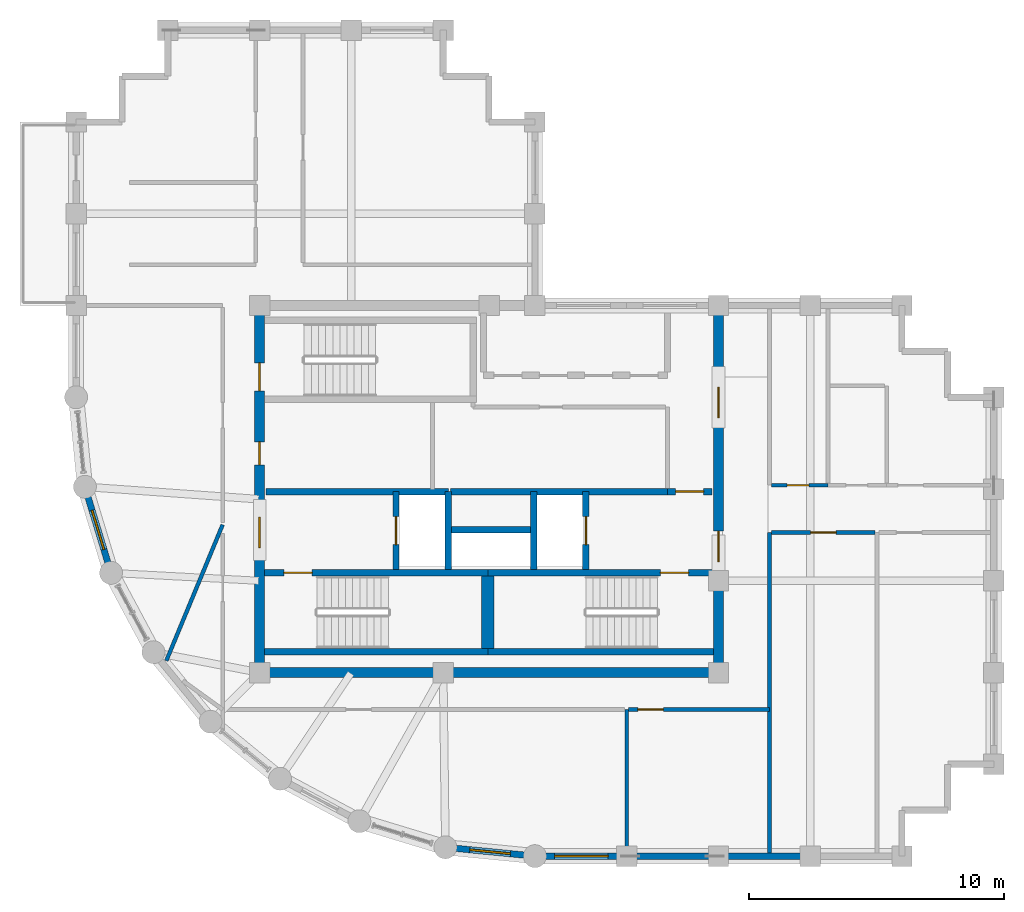
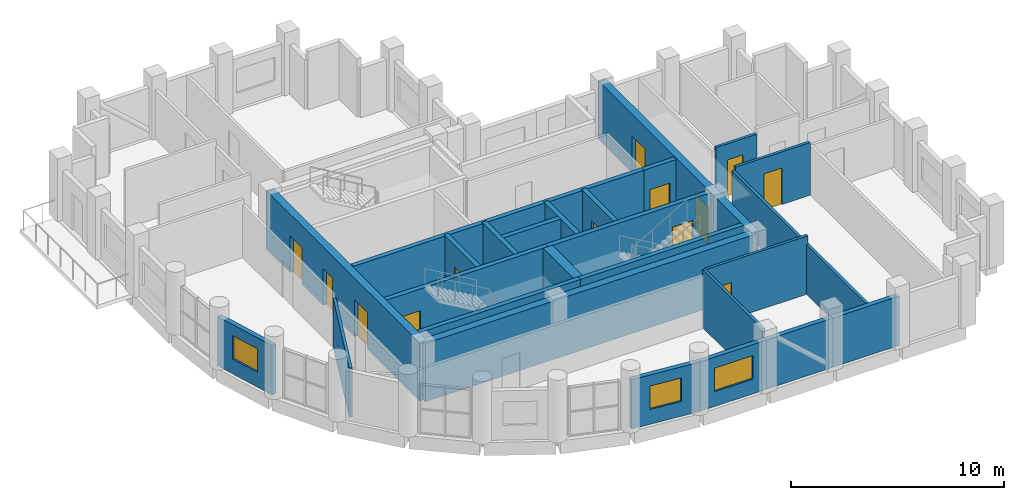
# One storey, part 8 of 11: 27 walls, 13 doors, 3 windows, 16 openings.
"""IFC4 building model written with IfcOpenShell, lengths in metres."""

import ifcopenshell
import ifcopenshell.guid

model = None  # the IFC model being written
_history = None  # IfcOwnerHistory: only IFC2X3 demands one
_inside = {}  # id of a spatial element -> (the spatial element, [elements in it])
_under = {}  # id of a project, library or spatial element -> (it, [spatial elements below it])
_declared = {}  # id of a project -> (the project, [libraries it declares])
_typed = {}  # id of a type object -> (the type object, [elements of that type])
_made_of = {}  # id of a material, layer set ... -> (it, [elements and type objects made of it])


def new_model(schema):
    """Start an empty IFC model of exactly this schema.

    Asked for "IFC4X3", IfcOpenShell would pick the latest addendum, in which some entities
    have other attributes; the version numbers below select the first issue.
    IFC2X3 requires an IfcOwnerHistory on every rooted entity: one is made here for all.
    """
    global model, _history
    if schema == "IFC4X3":
        model = ifcopenshell.file(schema_version=(4, 3, 0, 0))
    else:
        model = ifcopenshell.file(schema=schema)
    _inside.clear()
    _under.clear()
    _declared.clear()
    _typed.clear()
    _made_of.clear()
    _history = None
    if model.schema == "IFC2X3":
        org = make("IfcOrganization", Name="unknown")
        user = make(
            "IfcPersonAndOrganization",
            ThePerson=make("IfcPerson", FamilyName="unknown"),
            TheOrganization=org,
        )
        app = make(
            "IfcApplication",
            ApplicationDeveloper=org,
            Version="unknown",
            ApplicationFullName="unknown",
            ApplicationIdentifier="unknown",
        )
        _history = make(
            "IfcOwnerHistory",
            OwningUser=user,
            OwningApplication=app,
            ChangeAction="ADDED",
            CreationDate=0,
        )
    return model


def make(cls, **values):
    """One entity of the class cls with the attributes given. An attribute that is None is left unset."""
    return model.create_entity(
        cls, **{name: value for name, value in values.items() if value is not None}
    )


def rooted(cls, **values):
    """An entity with a GlobalId (a new one), such as an element, a storey or a relation."""
    return make(cls, GlobalId=ifcopenshell.guid.new(), OwnerHistory=_history, **values)


def si_unit(unit_type, name, prefix=None):
    """IfcSIUnit, for example si_unit("LENGTHUNIT", "METRE", prefix="MILLI")."""
    return make("IfcSIUnit", UnitType=unit_type, Prefix=prefix, Name=name)


def assignment(units):
    """IfcUnitAssignment: the units of a project."""
    return None if units is None else make("IfcUnitAssignment", Units=units)


def point(xyz):
    """IfcCartesianPoint."""
    return None if xyz is None else make("IfcCartesianPoint", Coordinates=xyz)


def direction(xyz):
    """IfcDirection."""
    return None if xyz is None else make("IfcDirection", DirectionRatios=xyz)


def frame(location, z_axis=None, x_axis=None):
    """IfcAxis2Placement3D, a coordinate frame: its origin and axes. An axis left out is left unset."""
    return make(
        "IfcAxis2Placement3D",
        Location=point(location),
        Axis=direction(z_axis),
        RefDirection=direction(x_axis),
    )


def frame_2d(location, x_axis=None):
    """IfcAxis2Placement2D, a coordinate frame in the plane: its origin and x axis."""
    return make(
        "IfcAxis2Placement2D", Location=point(location), RefDirection=direction(x_axis)
    )


def origin():
    """The frame at (0, 0, 0) with its axes left unset."""
    return frame((0.0, 0.0, 0.0))


def place(relative_to, where):
    """IfcLocalPlacement: puts the frame where relative to a parent placement (None: the world)."""
    return make(
        "IfcLocalPlacement", PlacementRelTo=relative_to, RelativePlacement=where
    )


def context(
    kind, dimensions, precision=None, world=None, true_north=None, identifier=None
):
    """IfcGeometricRepresentationContext, for example the 3D "Model" context."""
    return make(
        "IfcGeometricRepresentationContext",
        ContextIdentifier=identifier,
        ContextType=kind,
        CoordinateSpaceDimension=dimensions,
        Precision=precision,
        WorldCoordinateSystem=world,
        TrueNorth=true_north,
    )


def subcontext(parent, identifier, kind, view, scale=None):
    """IfcGeometricRepresentationSubContext, for example "Body" below "Model"."""
    return make(
        "IfcGeometricRepresentationSubContext",
        ContextIdentifier=identifier,
        ContextType=kind,
        ParentContext=parent,
        TargetScale=scale,
        TargetView=view,
    )


def project(units=None, contexts=None):
    """IfcProject with its units and contexts."""
    return rooted(
        "IfcProject",
        Name="project",
        RepresentationContexts=contexts,
        UnitsInContext=assignment(units),
    )


def spatial(cls, under=None, at=None, **own):
    """A site, building, storey or space (cls), placed at a placement, below another one or the project."""
    s = rooted(cls, ObjectPlacement=at, **own)
    if under is not None:
        _under.setdefault(under.id(), (under, []))[1].append(s)
    return s


def profile(cls, at=None, kind="AREA", **sizes):
    """A parametric profile (cls). Its sizes go by their IFC names, for example OverallWidth=200.0."""
    return make(cls, ProfileType=kind, Position=at, **sizes)


def rectangle(**sizes):
    """IfcRectangleProfileDef."""
    return profile("IfcRectangleProfileDef", **sizes)


def extrude(swept, where, along, depth):
    """IfcExtrudedAreaSolid: the profile swept, set in the frame where, extruded along a direction by depth."""
    return make(
        "IfcExtrudedAreaSolid",
        SweptArea=swept,
        Position=where,
        ExtrudedDirection=direction(along),
        Depth=depth,
    )


def shape(context_of_items, identifier, shape_type, items):
    """IfcShapeRepresentation: the items that make up one representation, for example the "Body"."""
    return make(
        "IfcShapeRepresentation",
        ContextOfItems=context_of_items,
        RepresentationIdentifier=identifier,
        RepresentationType=shape_type,
        Items=items,
    )


def material(Name=None, Category=None):
    """IfcMaterial."""
    return make("IfcMaterial", Name=Name, Category=Category)


def layer(
    of_material, thickness, ventilated=None, Name=None, Category=None, Priority=None
):
    """IfcMaterialLayer: one layer of a wall or slab, of a material (None: an air gap)."""
    return make(
        "IfcMaterialLayer",
        Material=of_material,
        LayerThickness=thickness,
        IsVentilated=ventilated,
        Name=Name,
        Category=Category,
        Priority=Priority,
    )


def layer_set(layers, Name=None):
    """IfcMaterialLayerSet."""
    return make("IfcMaterialLayerSet", MaterialLayers=layers, LayerSetName=Name)


def made_of(thing, what):
    """Note that an element or type object is made of a material, layer set ...; save() writes the relation."""
    if what is not None:
        _made_of.setdefault(what.id(), (what, []))[1].append(thing)
    return thing


def type_object(cls, material=None, **own):
    """A type object (cls), such as IfcWallType, which elements share."""
    return made_of(rooted(cls, **own), material)


def element(
    cls,
    number,
    at=None,
    inside=None,
    cuts=None,
    type_object=None,
    material=None,
    context=None,
    identifier="Body",
    shape_type=None,
    held_by="IfcProductDefinitionShape",
    body=None,
    shapes=None,
    **own,
):
    """One element of the class cls, such as IfcWall. Its Tag is "e" and its number.

    at: its placement. inside: the storey or other place that contains it. cuts: it is an
    opening in that element (IfcRelVoidsElement). A single representation is given by context,
    identifier, shape_type and body (its items); several are given by shapes. held_by: the class
    of the entity that holds the representations. save() writes the other relations.
    """
    e = rooted(cls, Tag="e%d" % number, ObjectPlacement=at, **own)
    if body is not None:
        shapes = [shape(context, identifier, shape_type, body)]
    if shapes is not None:
        e.Representation = make(held_by, Representations=shapes)
    if inside is not None:
        _inside.setdefault(inside.id(), (inside, []))[1].append(e)
    if cuts is not None:
        rooted(
            "IfcRelVoidsElement", RelatingBuildingElement=cuts, RelatedOpeningElement=e
        )
    if type_object is not None:
        _typed.setdefault(type_object.id(), (type_object, []))[1].append(e)
    return made_of(e, material)


def fill(opening, filler):
    """IfcRelFillsElement: the door or window that sits in an opening."""
    return rooted(
        "IfcRelFillsElement",
        RelatingOpeningElement=opening,
        RelatedBuildingElement=filler,
    )


def aggregate(whole, parts):
    """IfcRelAggregates: a whole, such as a stair, and the parts it consists of."""
    return rooted("IfcRelAggregates", RelatingObject=whole, RelatedObjects=parts)


def save(model, path):
    """Write the relations noted so far, then the file.

    IfcRelAggregates (storeys below a building ...), IfcRelContainedInSpatialStructure (elements
    in a storey), IfcRelDefinesByType, IfcRelAssociatesMaterial and IfcRelDeclares: one each for
    every whole, place, type object, material and project.
    """
    for whole, parts in _under.values():
        aggregate(whole, parts)
    for where, things in _inside.values():
        rooted(
            "IfcRelContainedInSpatialStructure",
            RelatedElements=things,
            RelatingStructure=where,
        )
    for kind, things in _typed.values():
        rooted("IfcRelDefinesByType", RelatedObjects=things, RelatingType=kind)
    for what, things in _made_of.values():
        rooted("IfcRelAssociatesMaterial", RelatedObjects=things, RelatingMaterial=what)
    for by, libraries in _declared.values():
        rooted("IfcRelDeclares", RelatingContext=by, RelatedDefinitions=libraries)
    model.write(path)


model = new_model("IFC4")

# Units and contexts
model_context = context("Model", 3, precision=1e-05, world=origin(), true_north=direction((0.0, 1.0)))
body_context = subcontext(model_context, "Body", "Model", "MODEL_VIEW")
ifc_project = project(units=[si_unit("LENGTHUNIT", "METRE"), si_unit("AREAUNIT", "SQUARE_METRE"), si_unit("VOLUMEUNIT", "CUBIC_METRE"), si_unit("PLANEANGLEUNIT", "RADIAN"), si_unit("MASSUNIT", "GRAM", prefix="KILO")], contexts=[model_context])

# Site, building, storey
site_placement = place(None, origin())
site = spatial("IfcSite", under=ifc_project, at=site_placement, CompositionType="ELEMENT")
building_placement = place(site_placement, origin())
building = spatial("IfcBuilding", under=site, at=building_placement, Name="Solnavia Interchange Tower", CompositionType="ELEMENT")
storey_placement = place(building_placement, frame((0.0, 0.0, 263.0)))
storey = spatial("IfcBuildingStorey", under=building, at=storey_placement, Name="L66", CompositionType="ELEMENT", Elevation=263.0)

# Wall, opening, window
ifc_material_1 = material(Name="Concrete C40/50", Category="concrete")
ifc_layer_1 = layer(ifc_material_1, 0.25)
ifc_layer_set_1 = layer_set([ifc_layer_1], Name="Concrete C40/50")
wall_type_1 = type_object("IfcWallType", Name="Wall-ExtSpandrel-250", PredefinedType="STANDARD", material=ifc_layer_set_1)
wall_1_placement = place(storey_placement, frame((28.800048828125, 3.60009765625, 0.0), z_axis=(0.0, 0.0, 1.0), x_axis=(-1.0, 0.0, 0.0)))
wall_1 = element("IfcWall", 1, at=wall_1_placement, inside=storey, type_object=wall_type_1, Name="EXW-L66-01 Exterior precast spandrel wall", PredefinedType="STANDARD", context=body_context, shape_type="SweptSolid", body=[
    extrude(rectangle(XDim=3.60009765625, YDim=0.25, at=frame_2d((1.800048828125, 0.0))), origin(), (0.0, 0.0, 1.0), 2.830078125),
])
opening_1_placement = place(wall_1_placement, frame((0.72509765625, 0.0, 0.85009765625)))
opening_1 = element("IfcOpeningElement", 2, at=opening_1_placement, cuts=wall_1, Name="Opening WIN-01", PredefinedType="OPENING", context=body_context, shape_type="SweptSolid", body=[
    extrude(rectangle(XDim=2.10009765625, YDim=1.35009765625, at=frame_2d((1.050048828125, 0.675048828125))), frame((0.0, 0.135009765625, 0.0), z_axis=(0.0, -1.0, 0.0), x_axis=(1.0, 0.0, 0.0)), (0.0, 0.0, 1.0), 0.27001953125),
])
ifc_material_2 = material(Name="Thermal-Break Aluminium & Low-E Glass", Category="aluminium")
window_type_1 = type_object("IfcWindowType", Name="Window-Ribbon-2100x1350", PartitioningType="SINGLE_PANEL", PredefinedType="WINDOW", material=ifc_material_2)
window_1_placement = place(opening_1_placement, origin())
window_1 = element("IfcWindow", 3, at=window_1_placement, inside=storey, type_object=window_type_1, Name="WIN-L66-01 Facade ribbon window", OverallHeight=1.35009765625, OverallWidth=2.10009765625, PartitioningType="SINGLE_PANEL", PredefinedType="WINDOW", context=body_context, shape_type="SweptSolid", body=[
    extrude(rectangle(XDim=2.10009765625, YDim=1.35009765625, at=frame_2d((1.050048828125, 0.675048828125))), frame((0.0, 0.030029296875, 0.0), z_axis=(0.0, -1.0, 0.0), x_axis=(1.0, 0.0, 0.0)), (0.0, 0.0, 1.0), 0.06005859375),
])
fill(opening_1, window_1)

# Walls
wall_2_placement = place(storey_placement, frame((32.39990234375, 3.60009765625, 0.0), z_axis=(0.0, 0.0, 1.0), x_axis=(-1.0, 0.0, 0.0)))
element("IfcWall", 4, at=wall_2_placement, inside=storey, type_object=wall_type_1, Name="EXW-L66-02 Exterior precast spandrel wall", PredefinedType="STANDARD", context=body_context, shape_type="SweptSolid", body=[
    extrude(rectangle(XDim=3.599853515625, YDim=0.25, at=frame_2d((1.7998046875, 0.0))), origin(), (0.0, 0.0, 1.0), 2.830078125),
])
wall_3_placement = place(storey_placement, frame((36.0, 3.60009765625, 0.0), z_axis=(0.0, 0.0, 1.0), x_axis=(-1.0, 0.0, 0.0)))
element("IfcWall", 5, at=wall_3_placement, inside=storey, type_object=wall_type_1, Name="EXW-L66-03 Exterior precast spandrel wall", PredefinedType="STANDARD", context=body_context, shape_type="SweptSolid", body=[
    extrude(rectangle(XDim=3.60009765625, YDim=0.25, at=frame_2d((1.800048828125, 0.0))), origin(), (0.0, 0.0, 1.0), 2.830078125),
])

# Wall, opening, window
wall_4_placement = place(storey_placement, frame((8.570068359375, 14.7119140625, 0.0), z_axis=(0.0, 0.0, 1.0), x_axis=(-0.290305086481, 0.956934144423, 0.0)))
wall_4 = element("IfcWall", 6, at=wall_4_placement, inside=storey, type_object=wall_type_1, Name="EXW-L66-38 Exterior precast spandrel wall", PredefinedType="STANDARD", context=body_context, shape_type="SweptSolid", body=[
    extrude(rectangle(XDim=3.52783203125, YDim=0.25, at=frame_2d((1.763916015625, 0.0))), origin(), (0.0, 0.0, 1.0), 2.830078125),
])
opening_2_placement = place(wall_4_placement, frame((0.964111328125, 0.0, 0.85009765625)))
opening_2 = element("IfcOpeningElement", 7, at=opening_2_placement, cuts=wall_4, Name="Opening WIN-04", PredefinedType="OPENING", context=body_context, shape_type="SweptSolid", body=[
    extrude(rectangle(XDim=1.60009765625, YDim=1.35009765625, at=frame_2d((0.800048828125, 0.675048828125))), frame((0.0, 0.135009765625, 0.0), z_axis=(0.0, -1.0, 0.0), x_axis=(1.0, 0.0, 0.0)), (0.0, 0.0, 1.0), 0.27001953125),
])
window_type_2 = type_object("IfcWindowType", Name="Window-Drum-1600x1350", PartitioningType="SINGLE_PANEL", PredefinedType="WINDOW", material=ifc_material_2)
window_2_placement = place(opening_2_placement, origin())
window_2 = element("IfcWindow", 8, at=window_2_placement, inside=storey, type_object=window_type_2, Name="WIN-L66-38 Facade ribbon window", OverallHeight=1.35009765625, OverallWidth=1.60009765625, PartitioningType="SINGLE_PANEL", PredefinedType="WINDOW", context=body_context, shape_type="SweptSolid", body=[
    extrude(rectangle(XDim=1.60009765625, YDim=1.35009765625, at=frame_2d((0.800048828125, 0.675048828125))), frame((0.0, 0.030029296875, 0.0), z_axis=(0.0, -1.0, 0.0), x_axis=(1.0, 0.0, 0.0)), (0.0, 0.0, 1.0), 0.06005859375),
])
fill(opening_2, window_2)

wall_5_placement = place(storey_placement, frame((25.199951171875, 3.60009765625, 0.0), z_axis=(0.0, 0.0, 1.0), x_axis=(-0.995183369056, 0.098030923459, 0.0)))
wall_5 = element("IfcWall", 9, at=wall_5_placement, inside=storey, type_object=wall_type_1, Name="EXW-L66-44 Exterior precast spandrel wall", PredefinedType="STANDARD", context=body_context, shape_type="SweptSolid", body=[
    extrude(rectangle(XDim=3.529052734375, YDim=0.25, at=frame_2d((1.7646484375, 0.0))), origin(), (0.0, 0.0, 1.0), 2.830078125),
])
opening_3_placement = place(wall_5_placement, frame((0.965087890625, 0.0, 0.85009765625)))
opening_3 = element("IfcOpeningElement", 10, at=opening_3_placement, cuts=wall_5, Name="Opening WIN-04", PredefinedType="OPENING", context=body_context, shape_type="SweptSolid", body=[
    extrude(rectangle(XDim=1.60009765625, YDim=1.35009765625, at=frame_2d((0.800048828125, 0.675048828125))), frame((0.0, 0.135009765625, 0.0), z_axis=(0.0, -1.0, 0.0), x_axis=(1.0, 0.0, 0.0)), (0.0, 0.0, 1.0), 0.27001953125),
])
window_3_placement = place(opening_3_placement, origin())
window_3 = element("IfcWindow", 11, at=window_3_placement, inside=storey, type_object=window_type_2, Name="WIN-L66-44 Facade ribbon window", OverallHeight=1.35009765625, OverallWidth=1.60009765625, PartitioningType="SINGLE_PANEL", PredefinedType="WINDOW", context=body_context, shape_type="SweptSolid", body=[
    extrude(rectangle(XDim=1.60009765625, YDim=1.35009765625, at=frame_2d((0.800048828125, 0.675048828125))), frame((0.0, 0.030029296875, 0.0), z_axis=(0.0, -1.0, 0.0), x_axis=(1.0, 0.0, 0.0)), (0.0, 0.0, 1.0), 0.06005859375),
])
fill(opening_3, window_3)

# Walls
ifc_material_3 = material(Name="Gypsum Plasterboard & Steel Stud", Category="steel")
ifc_layer_2 = layer(ifc_material_3, 0.14990234375)
ifc_layer_set_2 = layer_set([ifc_layer_2], Name="Gypsum Plasterboard & Steel Stud")
wall_type_2 = type_object("IfcWallType", Name="Wall-Partition-150", PredefinedType="PARTITIONING", material=ifc_layer_set_2)
wall_6_placement = place(storey_placement, frame((28.800048828125, 9.35009765625, 0.0), z_axis=(0.0, 0.0, 1.0), x_axis=(0.0, -1.0, 0.0)))
element("IfcWall", 12, at=wall_6_placement, inside=storey, type_object=wall_type_2, Name="PTW-L66-08 Interior partition wall", PredefinedType="PARTITIONING", context=body_context, shape_type="SweptSolid", body=[
    extrude(rectangle(XDim=5.62109375, YDim=0.14990234375, at=frame_2d((2.810546875, 0.0))), origin(), (0.0, 0.0, 1.0), 3.3349609375),
])
wall_7_placement = place(storey_placement, frame((12.949951171875, 16.60009765625, 0.0), z_axis=(0.0, 0.0, 1.0), x_axis=(-0.382758890427, -0.923848273148, 0.0)))
element("IfcWall", 13, at=wall_7_placement, inside=storey, type_object=wall_type_2, Name="PTW-L66-10 Interior partition wall", PredefinedType="PARTITIONING", context=body_context, shape_type="SweptSolid", body=[
    extrude(rectangle(XDim=5.773193359375, YDim=0.14990234375, at=frame_2d((2.88671875, 0.0))), origin(), (0.0, 0.0, 1.0), 2.830078125),
])

# Wall, opening, door
wall_8_placement = place(storey_placement, frame((28.87890625, 9.35009765625, 0.0), z_axis=(0.0, 0.0, 1.0), x_axis=(1.0, 0.0, 0.0)))
wall_8 = element("IfcWall", 14, at=wall_8_placement, inside=storey, type_object=wall_type_2, Name="PTW-L66-14 Interior partition wall", PredefinedType="PARTITIONING", context=body_context, shape_type="SweptSolid", body=[
    extrude(rectangle(XDim=5.52099609375, YDim=0.14990234375, at=frame_2d((2.760498046875, 0.0))), origin(), (0.0, 0.0, 1.0), 3.3349609375),
])
opening_4_placement = place(wall_8_placement, frame((0.360107421875, 0.0, 0.0)))
opening_4 = element("IfcOpeningElement", 15, at=opening_4_placement, cuts=wall_8, Name="Opening DR-07", PredefinedType="OPENING", context=body_context, shape_type="SweptSolid", body=[
    extrude(rectangle(XDim=1.0, YDim=2.10009765625, at=frame_2d((0.5, 1.050048828125))), frame((0.0, 0.0849609375, 0.0), z_axis=(0.0, -1.0, 0.0), x_axis=(1.0, 0.0, 0.0)), (0.0, 0.0, 1.0), 0.169921875),
])
ifc_material_4 = material(Name="Timber & Acoustic Glazed Office Door", Category="wood")
door_type_1 = type_object("IfcDoorType", Name="Door-Office-1000x2100", OperationType="SINGLE_SWING_RIGHT", PredefinedType="DOOR", material=ifc_material_4)
door_1_placement = place(opening_4_placement, origin())
door_1 = element("IfcDoor", 16, at=door_1_placement, inside=storey, type_object=door_type_1, Name="DR-L66-06 Interior room door", OperationType="SINGLE_SWING_LEFT", OverallHeight=2.10009765625, OverallWidth=1.0, PredefinedType="DOOR", context=body_context, shape_type="SweptSolid", body=[
    extrude(rectangle(XDim=1.0, YDim=2.10009765625, at=frame_2d((0.5, 1.050048828125))), frame((0.0, 0.02490234375, 0.0), z_axis=(0.0, -1.0, 0.0), x_axis=(1.0, 0.0, 0.0)), (0.0, 0.0, 1.0), 0.050048828125),
])
fill(opening_4, door_1)

# Wall
wall_9_placement = place(storey_placement, frame((34.39990234375, 3.72900390625, 0.0), z_axis=(0.0, 0.0, 1.0), x_axis=(0.0, 1.0, 0.0)))
element("IfcWall", 17, at=wall_9_placement, inside=storey, type_object=wall_type_2, Name="PTW-L66-15 Interior partition wall", PredefinedType="PARTITIONING", context=body_context, shape_type="SweptSolid", body=[
    extrude(rectangle(XDim=12.571044921875, YDim=0.14990234375, at=frame_2d((6.28564453125, 0.0))), origin(), (0.0, 0.0, 1.0), 2.830078125),
])

# Wall, opening, door
wall_10_placement = place(storey_placement, frame((34.47900390625, 16.300048828125, 0.0), z_axis=(0.0, 0.0, 1.0), x_axis=(1.0, 0.0, 0.0)))
wall_10 = element("IfcWall", 18, at=wall_10_placement, inside=storey, type_object=wall_type_2, Name="PTW-L66-17 Interior partition wall", PredefinedType="PARTITIONING", context=body_context, shape_type="SweptSolid", body=[
    extrude(rectangle(XDim=4.06201171875, YDim=0.14990234375, at=frame_2d((2.031005859375, 0.0))), origin(), (0.0, 0.0, 1.0), 3.02001953125),
])
opening_5_placement = place(wall_10_placement, frame((1.531005859375, 0.0, 0.0)))
opening_5 = element("IfcOpeningElement", 19, at=opening_5_placement, cuts=wall_10, Name="Opening DR-07", PredefinedType="OPENING", context=body_context, shape_type="SweptSolid", body=[
    extrude(rectangle(XDim=1.0, YDim=2.10009765625, at=frame_2d((0.5, 1.050048828125))), frame((0.0, 0.0849609375, 0.0), z_axis=(0.0, -1.0, 0.0), x_axis=(1.0, 0.0, 0.0)), (0.0, 0.0, 1.0), 0.169921875),
])
door_2_placement = place(opening_5_placement, origin())
door_2 = element("IfcDoor", 20, at=door_2_placement, inside=storey, type_object=door_type_1, Name="DR-L66-07 Interior room door", OperationType="SINGLE_SWING_LEFT", OverallHeight=2.10009765625, OverallWidth=1.0, PredefinedType="DOOR", context=body_context, shape_type="SweptSolid", body=[
    extrude(rectangle(XDim=1.0, YDim=2.10009765625, at=frame_2d((0.5, 1.050048828125))), frame((0.0, 0.02490234375, 0.0), z_axis=(0.0, -1.0, 0.0), x_axis=(1.0, 0.0, 0.0)), (0.0, 0.0, 1.0), 0.050048828125),
])
fill(opening_5, door_2)

# Wall
ifc_layer_3 = layer(ifc_material_1, 0.25)
ifc_layer_set_3 = layer_set([ifc_layer_3], Name="Concrete C40/50")
wall_type_3 = type_object("IfcWallType", Name="Wall-ShaftCore-250", PredefinedType="SHEAR", material=ifc_layer_set_3)
wall_11_placement = place(storey_placement, frame((14.60009765625, 11.625, 0.0), z_axis=(0.0, 0.0, 1.0), x_axis=(1.0, 0.0, 0.0)))
element("IfcWall", 21, at=wall_11_placement, inside=storey, type_object=wall_type_3, Name="SHW-L66-ST1S Core shear wall", PredefinedType="SHEAR", context=body_context, shape_type="SweptSolid", body=[
    extrude(rectangle(XDim=8.75, YDim=0.25, at=frame_2d((4.375, 0.0))), origin(), (0.0, 0.0, 1.0), 3.35009765625),
])

# Wall, opening, door
wall_12_placement = place(storey_placement, frame((14.60009765625, 14.715087890625, 0.0), z_axis=(0.0, 0.0, 1.0), x_axis=(1.0, 0.0, 0.0)))
wall_12 = element("IfcWall", 22, at=wall_12_placement, inside=storey, type_object=wall_type_3, Name="SHW-L66-ST1N Core shear wall", PredefinedType="SHEAR", context=body_context, shape_type="SweptSolid", body=[
    extrude(rectangle(XDim=8.75, YDim=0.25, at=frame_2d((4.375, 0.0))), origin(), (0.0, 0.0, 1.0), 3.35009765625),
])
opening_6_placement = place(wall_12_placement, frame((0.7548828125, 0.0, 0.0)))
opening_6 = element("IfcOpeningElement", 23, at=opening_6_placement, cuts=wall_12, Name="Opening DR-01", PredefinedType="OPENING", context=body_context, shape_type="SweptSolid", body=[
    extrude(rectangle(XDim=1.10009765625, YDim=2.10009765625, at=frame_2d((0.550048828125, 1.050048828125))), frame((0.0, 0.135009765625, 0.0), z_axis=(0.0, -1.0, 0.0), x_axis=(1.0, 0.0, 0.0)), (0.0, 0.0, 1.0), 0.27001953125),
])
ifc_material_5 = material(Name="Steel Fire-Rated Leaf & Frame", Category="steel")
door_type_2 = type_object("IfcDoorType", Name="Door-StairFire-1100x2100", OperationType="SINGLE_SWING_LEFT", PredefinedType="DOOR", material=ifc_material_5)
door_3_placement = place(opening_6_placement, origin())
door_3 = element("IfcDoor", 24, at=door_3_placement, inside=storey, type_object=door_type_2, Name="DR-L66-ST1 Core fire door", OperationType="SINGLE_SWING_LEFT", OverallHeight=2.10009765625, OverallWidth=1.10009765625, PredefinedType="DOOR", context=body_context, shape_type="SweptSolid", body=[
    extrude(rectangle(XDim=1.10009765625, YDim=2.10009765625, at=frame_2d((0.550048828125, 1.050048828125))), frame((0.0, 0.02490234375, 0.0), z_axis=(0.0, -1.0, 0.0), x_axis=(1.0, 0.0, 0.0)), (0.0, 0.0, 1.0), 0.050048828125),
])
fill(opening_6, door_3)

# Wall
wall_13_placement = place(storey_placement, frame((23.35009765625, 11.625, 0.0), z_axis=(0.0, 0.0, 1.0), x_axis=(1.0, 0.0, 0.0)))
element("IfcWall", 25, at=wall_13_placement, inside=storey, type_object=wall_type_3, Name="SHW-L66-ST2S Core shear wall", PredefinedType="SHEAR", context=body_context, shape_type="SweptSolid", body=[
    extrude(rectangle(XDim=8.849853515625, YDim=0.25, at=frame_2d((4.4248046875, 0.0))), origin(), (0.0, 0.0, 1.0), 3.35009765625),
])

# Wall, opening, door
wall_14_placement = place(storey_placement, frame((23.35009765625, 14.715087890625, 0.0), z_axis=(0.0, 0.0, 1.0), x_axis=(1.0, 0.0, 0.0)))
wall_14 = element("IfcWall", 26, at=wall_14_placement, inside=storey, type_object=wall_type_3, Name="SHW-L66-ST2N Core shear wall", PredefinedType="SHEAR", context=body_context, shape_type="SweptSolid", body=[
    extrude(rectangle(XDim=8.849853515625, YDim=0.25, at=frame_2d((4.4248046875, 0.0))), origin(), (0.0, 0.0, 1.0), 3.35009765625),
])
opening_7_placement = place(wall_14_placement, frame((6.77490234375, 0.0, 0.0)))
opening_7 = element("IfcOpeningElement", 27, at=opening_7_placement, cuts=wall_14, Name="Opening DR-01", PredefinedType="OPENING", context=body_context, shape_type="SweptSolid", body=[
    extrude(rectangle(XDim=1.10009765625, YDim=2.10009765625, at=frame_2d((0.550048828125, 1.050048828125))), frame((0.0, 0.135009765625, 0.0), z_axis=(0.0, -1.0, 0.0), x_axis=(1.0, 0.0, 0.0)), (0.0, 0.0, 1.0), 0.27001953125),
])
door_4_placement = place(opening_7_placement, origin())
door_4 = element("IfcDoor", 28, at=door_4_placement, inside=storey, type_object=door_type_2, Name="DR-L66-ST2 Core fire door", OperationType="SINGLE_SWING_LEFT", OverallHeight=2.10009765625, OverallWidth=1.10009765625, PredefinedType="DOOR", context=body_context, shape_type="SweptSolid", body=[
    extrude(rectangle(XDim=1.10009765625, YDim=2.10009765625, at=frame_2d((0.550048828125, 1.050048828125))), frame((0.0, 0.02490234375, 0.0), z_axis=(0.0, -1.0, 0.0), x_axis=(1.0, 0.0, 0.0)), (0.0, 0.0, 1.0), 0.050048828125),
])
fill(opening_7, door_4)

# Wall
ifc_layer_4 = layer(ifc_material_1, 0.25)
ifc_layer_set_4 = layer_set([ifc_layer_4], Name="Concrete C40/50")
wall_type_4 = type_object("IfcWallType", Name="Wall-ShaftPart-250", PredefinedType="PARTITIONING", material=ifc_layer_set_4)
wall_15_placement = place(storey_placement, frame((14.64990234375, 17.89990234375, 0.0), z_axis=(0.0, 0.0, 1.0), x_axis=(1.0, 0.0, 0.0)))
element("IfcWall", 29, at=wall_15_placement, inside=storey, type_object=wall_type_4, Name="SHW-L66-FFLW-N Core shaft wall", PredefinedType="PARTITIONING", context=body_context, shape_type="SweptSolid", body=[
    extrude(rectangle(XDim=7.150146484375, YDim=0.25, at=frame_2d((3.5751953125, 0.0))), origin(), (0.0, 0.0, 1.0), 3.3349609375),
])

# Wall, opening, door
wall_16_placement = place(storey_placement, frame((19.75, 14.840087890625, 0.0), z_axis=(0.0, 0.0, 1.0), x_axis=(0.0, 1.0, 0.0)))
wall_16 = element("IfcWall", 30, at=wall_16_placement, inside=storey, type_object=wall_type_4, Name="SHW-L66-FFL1-W Core shaft wall", PredefinedType="PARTITIONING", context=body_context, shape_type="SweptSolid", body=[
    extrude(rectangle(XDim=3.059814453125, YDim=0.25, at=frame_2d((1.52978515625, 0.0))), origin(), (0.0, 0.0, 1.0), 3.3349609375),
])
opening_8_placement = place(wall_16_placement, frame((0.97998046875, 0.0, 0.0)))
opening_8 = element("IfcOpeningElement", 31, at=opening_8_placement, cuts=wall_16, Name="Opening LD-01", PredefinedType="OPENING", context=body_context, shape_type="SweptSolid", body=[
    extrude(rectangle(XDim=1.10009765625, YDim=2.10009765625, at=frame_2d((0.550048828125, 1.050048828125))), frame((0.0, 0.135009765625, 0.0), z_axis=(0.0, -1.0, 0.0), x_axis=(1.0, 0.0, 0.0)), (0.0, 0.0, 1.0), 0.27001953125),
])
ifc_material_6 = material(Name="Brushed Stainless Steel Sliding Door", Category="steel")
door_type_3 = type_object("IfcDoorType", Name="Door-LiftLanding-1100x2100", OperationType="SLIDING_TO_LEFT", PredefinedType="DOOR", material=ifc_material_6)
door_5_placement = place(opening_8_placement, origin())
door_5 = element("IfcDoor", 32, at=door_5_placement, inside=storey, type_object=door_type_3, Name="LD-L66-FFL1 Lift landing sliding door", OperationType="SLIDING_TO_LEFT", OverallHeight=2.10009765625, OverallWidth=1.10009765625, PredefinedType="DOOR", context=body_context, shape_type="SweptSolid", body=[
    extrude(rectangle(XDim=1.10009765625, YDim=2.10009765625, at=frame_2d((0.550048828125, 1.050048828125))), frame((0.0, 0.02490234375, 0.0), z_axis=(0.0, -1.0, 0.0), x_axis=(1.0, 0.0, 0.0)), (0.0, 0.0, 1.0), 0.050048828125),
])
fill(opening_8, door_5)

# Walls
wall_17_placement = place(storey_placement, frame((21.800048828125, 14.840087890625, 0.0), z_axis=(0.0, 0.0, 1.0), x_axis=(0.0, 1.0, 0.0)))
element("IfcWall", 33, at=wall_17_placement, inside=storey, type_object=wall_type_4, Name="SHW-L66-FFL1-E Core shaft wall", PredefinedType="PARTITIONING", context=body_context, shape_type="SweptSolid", body=[
    extrude(rectangle(XDim=3.059814453125, YDim=0.25, at=frame_2d((1.52978515625, 0.0))), origin(), (0.0, 0.0, 1.0), 3.3349609375),
])
wall_18_placement = place(storey_placement, frame((21.8798828125, 17.89990234375, 0.0), z_axis=(0.0, 0.0, 1.0), x_axis=(1.0, 0.0, 0.0)))
element("IfcWall", 34, at=wall_18_placement, inside=storey, type_object=wall_type_4, Name="SHW-L66-FFLE-N1 Core shaft wall", PredefinedType="PARTITIONING", context=body_context, shape_type="SweptSolid", body=[
    extrude(rectangle(XDim=8.52001953125, YDim=0.25, at=frame_2d((4.260009765625, 0.0))), origin(), (0.0, 0.0, 1.0), 3.3349609375),
])

# Wall, opening, door
wall_19_placement = place(storey_placement, frame((30.39990234375, 17.89990234375, 0.0), z_axis=(0.0, 0.0, 1.0), x_axis=(1.0, 0.0, 0.0)))
wall_19 = element("IfcWall", 35, at=wall_19_placement, inside=storey, type_object=wall_type_4, Name="SHW-L66-FFLE-N2 Core shaft wall", PredefinedType="PARTITIONING", context=body_context, shape_type="SweptSolid", body=[
    extrude(rectangle(XDim=1.75, YDim=0.25, at=frame_2d((0.875, 0.0))), origin(), (0.0, 0.0, 1.0), 3.3349609375),
])
opening_9_placement = place(wall_19_placement, frame((0.320068359375, 0.0, 0.0)))
opening_9 = element("IfcOpeningElement", 36, at=opening_9_placement, cuts=wall_19, Name="Opening DR-01", PredefinedType="OPENING", context=body_context, shape_type="SweptSolid", body=[
    extrude(rectangle(XDim=1.10009765625, YDim=2.10009765625, at=frame_2d((0.550048828125, 1.050048828125))), frame((0.0, 0.135009765625, 0.0), z_axis=(0.0, -1.0, 0.0), x_axis=(1.0, 0.0, 0.0)), (0.0, 0.0, 1.0), 0.27001953125),
])
door_6_placement = place(opening_9_placement, origin())
door_6 = element("IfcDoor", 37, at=door_6_placement, inside=storey, type_object=door_type_2, Name="DR-L66-LLC Core fire door", OperationType="SINGLE_SWING_LEFT", OverallHeight=2.10009765625, OverallWidth=1.10009765625, PredefinedType="DOOR", context=body_context, shape_type="SweptSolid", body=[
    extrude(rectangle(XDim=1.10009765625, YDim=2.10009765625, at=frame_2d((0.550048828125, 1.050048828125))), frame((0.0, 0.02490234375, 0.0), z_axis=(0.0, -1.0, 0.0), x_axis=(1.0, 0.0, 0.0)), (0.0, 0.0, 1.0), 0.050048828125),
])
fill(opening_9, door_6)

# Wall
wall_20_placement = place(storey_placement, frame((25.14990234375, 14.840087890625, 0.0), z_axis=(0.0, 0.0, 1.0), x_axis=(0.0, 1.0, 0.0)))
element("IfcWall", 38, at=wall_20_placement, inside=storey, type_object=wall_type_4, Name="SHW-L66-FFL2-W Core shaft wall", PredefinedType="PARTITIONING", context=body_context, shape_type="SweptSolid", body=[
    extrude(rectangle(XDim=3.059814453125, YDim=0.25, at=frame_2d((1.52978515625, 0.0))), origin(), (0.0, 0.0, 1.0), 3.3349609375),
])

# Wall, opening, door
wall_21_placement = place(storey_placement, frame((27.199951171875, 14.840087890625, 0.0), z_axis=(0.0, 0.0, 1.0), x_axis=(0.0, 1.0, 0.0)))
wall_21 = element("IfcWall", 39, at=wall_21_placement, inside=storey, type_object=wall_type_4, Name="SHW-L66-FFL2-E Core shaft wall", PredefinedType="PARTITIONING", context=body_context, shape_type="SweptSolid", body=[
    extrude(rectangle(XDim=3.059814453125, YDim=0.25, at=frame_2d((1.52978515625, 0.0))), origin(), (0.0, 0.0, 1.0), 3.3349609375),
])
opening_10_placement = place(wall_21_placement, frame((0.97998046875, 0.0, 0.0)))
opening_10 = element("IfcOpeningElement", 40, at=opening_10_placement, cuts=wall_21, Name="Opening LD-01", PredefinedType="OPENING", context=body_context, shape_type="SweptSolid", body=[
    extrude(rectangle(XDim=1.10009765625, YDim=2.10009765625, at=frame_2d((0.550048828125, 1.050048828125))), frame((0.0, 0.135009765625, 0.0), z_axis=(0.0, -1.0, 0.0), x_axis=(1.0, 0.0, 0.0)), (0.0, 0.0, 1.0), 0.27001953125),
])
door_7_placement = place(opening_10_placement, origin())
door_7 = element("IfcDoor", 41, at=door_7_placement, inside=storey, type_object=door_type_3, Name="LD-L66-FFL2 Lift landing sliding door", OperationType="SLIDING_TO_LEFT", OverallHeight=2.10009765625, OverallWidth=1.10009765625, PredefinedType="DOOR", context=body_context, shape_type="SweptSolid", body=[
    extrude(rectangle(XDim=1.10009765625, YDim=2.10009765625, at=frame_2d((0.550048828125, 1.050048828125))), frame((0.0, 0.02490234375, 0.0), z_axis=(0.0, -1.0, 0.0), x_axis=(1.0, 0.0, 0.0)), (0.0, 0.0, 1.0), 0.050048828125),
])
fill(opening_10, door_7)

# Walls
wall_22_placement = place(storey_placement, frame((21.800048828125, 16.39990234375, 0.0), z_axis=(0.0, 0.0, 1.0), x_axis=(1.0, 0.0, 0.0)))
element("IfcWall", 42, at=wall_22_placement, inside=storey, type_object=wall_type_4, Name="SHW-L66-MEP-N Core shaft wall", PredefinedType="PARTITIONING", context=body_context, shape_type="SweptSolid", body=[
    extrude(rectangle(XDim=3.349853515625, YDim=0.25, at=frame_2d((1.6748046875, 0.0))), origin(), (0.0, 0.0, 1.0), 3.3349609375),
])
ifc_material_7 = material(Name="Concrete C50/60", Category="concrete")
ifc_layer_5 = layer(ifc_material_7, 0.39990234375)
ifc_layer_set_5 = layer_set([ifc_layer_5], Name="Concrete C50/60")
wall_type_5 = type_object("IfcWallType", Name="Wall-ShearCore-400", PredefinedType="SHEAR", material=ifc_layer_set_5)
wall_23_placement = place(storey_placement, frame((14.39990234375, 10.800048828125, 0.0), z_axis=(0.0, 0.0, 1.0), x_axis=(1.0, 0.0, 0.0)))
element("IfcWall", 43, at=wall_23_placement, inside=storey, type_object=wall_type_5, Name="CRW-L66-S Core shear wall", PredefinedType="SHEAR", context=body_context, shape_type="SweptSolid", body=[
    extrude(rectangle(XDim=18.0, YDim=0.39990234375, at=frame_2d((9.0, 0.0))), origin(), (0.0, 0.0, 1.0), 3.35009765625),
])

# Wall, openings, doors
wall_24_placement = place(storey_placement, frame((14.39990234375, 10.800048828125, 0.0), z_axis=(0.0, 0.0, 1.0), x_axis=(0.0, 1.0, 0.0)))
wall_24 = element("IfcWall", 44, at=wall_24_placement, inside=storey, type_object=wall_type_5, Name="CRW-L66-W Core shear wall", PredefinedType="SHEAR", context=body_context, shape_type="SweptSolid", body=[
    extrude(rectangle(XDim=14.39990234375, YDim=0.39990234375, at=frame_2d((7.199951171875, 0.0))), origin(), (0.0, 0.0, 1.0), 3.35009765625),
])
opening_11_placement = place(wall_24_placement, frame((11.050048828125, 0.0, 0.0)))
opening_11 = element("IfcOpeningElement", 45, at=opening_11_placement, cuts=wall_24, Name="Opening DR-01", PredefinedType="OPENING", context=body_context, shape_type="SweptSolid", body=[
    extrude(rectangle(XDim=1.10009765625, YDim=2.10009765625, at=frame_2d((0.550048828125, 1.050048828125))), frame((0.0, 0.2099609375, 0.0), z_axis=(0.0, -1.0, 0.0), x_axis=(1.0, 0.0, 0.0)), (0.0, 0.0, 1.0), 0.419921875),
])
opening_12_placement = place(wall_24_placement, frame((4.89990234375, 0.0, 0.0)))
opening_12 = element("IfcOpeningElement", 46, at=opening_12_placement, cuts=wall_24, Name="Opening DR-02", PredefinedType="OPENING", context=body_context, shape_type="SweptSolid", body=[
    extrude(rectangle(XDim=1.199951171875, YDim=2.10009765625, at=frame_2d((0.60009765625, 1.050048828125))), frame((0.0, 0.2099609375, 0.0), z_axis=(0.0, -1.0, 0.0), x_axis=(1.0, 0.0, 0.0)), (0.0, 0.0, 1.0), 0.419921875),
])
opening_13_placement = place(wall_24_placement, frame((8.14990234375, 0.0, 0.0)))
opening_13 = element("IfcOpeningElement", 47, at=opening_13_placement, cuts=wall_24, Name="Opening DR-09", PredefinedType="OPENING", context=body_context, shape_type="SweptSolid", body=[
    extrude(rectangle(XDim=0.89990234375, YDim=2.10009765625, at=frame_2d((0.449951171875, 1.050048828125))), frame((0.0, 0.2099609375, 0.0), z_axis=(0.0, -1.0, 0.0), x_axis=(1.0, 0.0, 0.0)), (0.0, 0.0, 1.0), 0.419921875),
])
ifc_material_8 = material(Name="Engineered Oak Veneer Door", Category="wood")
door_type_4 = type_object("IfcDoorType", Name="Door-Internal-900x2100", OperationType="SINGLE_SWING_LEFT", PredefinedType="DOOR", material=ifc_material_8)
door_8_placement = place(opening_13_placement, origin())
door_8 = element("IfcDoor", 48, at=door_8_placement, inside=storey, type_object=door_type_4, Name="DR-L66-CS1 Core fire door", OperationType="SINGLE_SWING_RIGHT", OverallHeight=2.10009765625, OverallWidth=0.89990234375, PredefinedType="DOOR", context=body_context, shape_type="SweptSolid", body=[
    extrude(rectangle(XDim=0.89990234375, YDim=2.10009765625, at=frame_2d((0.449951171875, 1.050048828125))), frame((0.0, 0.02490234375, 0.0), z_axis=(0.0, -1.0, 0.0), x_axis=(1.0, 0.0, 0.0)), (0.0, 0.0, 1.0), 0.050048828125),
])
fill(opening_13, door_8)
ifc_material_9 = material(Name="Steel Fire-Rated Vision-Panel Door", Category="steel")
door_type_5 = type_object("IfcDoorType", Name="Door-LobbyFire-1200x2100", OperationType="SINGLE_SWING_RIGHT", PredefinedType="DOOR", material=ifc_material_9)
door_9_placement = place(opening_12_placement, origin())
door_9 = element("IfcDoor", 49, at=door_9_placement, inside=storey, type_object=door_type_5, Name="DR-L66-FFL1W Core fire door", OperationType="SINGLE_SWING_RIGHT", OverallHeight=2.10009765625, OverallWidth=1.199951171875, PredefinedType="DOOR", context=body_context, shape_type="SweptSolid", body=[
    extrude(rectangle(XDim=1.199951171875, YDim=2.10009765625, at=frame_2d((0.60009765625, 1.050048828125))), frame((0.0, 0.02490234375, 0.0), z_axis=(0.0, -1.0, 0.0), x_axis=(1.0, 0.0, 0.0)), (0.0, 0.0, 1.0), 0.050048828125),
])
fill(opening_12, door_9)
door_10_placement = place(opening_11_placement, origin())
door_10 = element("IfcDoor", 50, at=door_10_placement, inside=storey, type_object=door_type_2, Name="DR-L66-ST3 Core fire door", OperationType="SINGLE_SWING_RIGHT", OverallHeight=2.10009765625, OverallWidth=1.10009765625, PredefinedType="DOOR", context=body_context, shape_type="SweptSolid", body=[
    extrude(rectangle(XDim=1.10009765625, YDim=2.10009765625, at=frame_2d((0.550048828125, 1.050048828125))), frame((0.0, 0.02490234375, 0.0), z_axis=(0.0, -1.0, 0.0), x_axis=(1.0, 0.0, 0.0)), (0.0, 0.0, 1.0), 0.050048828125),
])
fill(opening_11, door_10)

wall_25_placement = place(storey_placement, frame((32.39990234375, 10.800048828125, 0.0), z_axis=(0.0, 0.0, 1.0), x_axis=(0.0, 1.0, 0.0)))
wall_25 = element("IfcWall", 51, at=wall_25_placement, inside=storey, type_object=wall_type_5, Name="CRW-L66-E Core shear wall", PredefinedType="SHEAR", context=body_context, shape_type="SweptSolid", body=[
    extrude(rectangle(XDim=14.39990234375, YDim=0.39990234375, at=frame_2d((7.199951171875, 0.0))), origin(), (0.0, 0.0, 1.0), 3.35009765625),
])
opening_14_placement = place(wall_25_placement, frame((4.35009765625, 0.0, 0.0)))
opening_14 = element("IfcOpeningElement", 52, at=opening_14_placement, cuts=wall_25, Name="Opening DR-02", PredefinedType="OPENING", context=body_context, shape_type="SweptSolid", body=[
    extrude(rectangle(XDim=1.199951171875, YDim=2.10009765625, at=frame_2d((0.60009765625, 1.050048828125))), frame((0.0, 0.2099609375, 0.0), z_axis=(0.0, -1.0, 0.0), x_axis=(1.0, 0.0, 0.0)), (0.0, 0.0, 1.0), 0.419921875),
])
opening_15_placement = place(wall_25_placement, frame((10.0, 0.0, 0.0)))
opening_15 = element("IfcOpeningElement", 53, at=opening_15_placement, cuts=wall_25, Name="Opening DR-02", PredefinedType="OPENING", context=body_context, shape_type="SweptSolid", body=[
    extrude(rectangle(XDim=1.199951171875, YDim=2.10009765625, at=frame_2d((0.60009765625, 1.050048828125))), frame((0.0, 0.2099609375, 0.0), z_axis=(0.0, -1.0, 0.0), x_axis=(1.0, 0.0, 0.0)), (0.0, 0.0, 1.0), 0.419921875),
])
door_11_placement = place(opening_14_placement, origin())
door_11 = element("IfcDoor", 54, at=door_11_placement, inside=storey, type_object=door_type_5, Name="DR-L66-FFL2E Core fire door", OperationType="SINGLE_SWING_LEFT", OverallHeight=2.10009765625, OverallWidth=1.199951171875, PredefinedType="DOOR", context=body_context, shape_type="SweptSolid", body=[
    extrude(rectangle(XDim=1.199951171875, YDim=2.10009765625, at=frame_2d((0.60009765625, 1.050048828125))), frame((0.0, 0.02490234375, 0.0), z_axis=(0.0, -1.0, 0.0), x_axis=(1.0, 0.0, 0.0)), (0.0, 0.0, 1.0), 0.050048828125),
])
fill(opening_14, door_11)
door_12_placement = place(opening_15_placement, origin())
door_12 = element("IfcDoor", 55, at=door_12_placement, inside=storey, type_object=door_type_5, Name="DR-L66-LLE Core fire door", OperationType="SINGLE_SWING_RIGHT", OverallHeight=2.10009765625, OverallWidth=1.199951171875, PredefinedType="DOOR", context=body_context, shape_type="SweptSolid", body=[
    extrude(rectangle(XDim=1.199951171875, YDim=2.10009765625, at=frame_2d((0.60009765625, 1.050048828125))), frame((0.0, 0.02490234375, 0.0), z_axis=(0.0, -1.0, 0.0), x_axis=(1.0, 0.0, 0.0)), (0.0, 0.0, 1.0), 0.050048828125),
])
fill(opening_15, door_12)

# Wall
ifc_material_10 = material(Name="Concrete C60/75", Category="concrete")
ifc_layer_6 = layer(ifc_material_10, 0.5)
ifc_layer_set_6 = layer_set([ifc_layer_6], Name="Concrete C60/75")
wall_type_6 = type_object("IfcWallType", Name="Wall-ShearCore-500", PredefinedType="SHEAR", material=ifc_layer_set_6)
wall_26_placement = place(storey_placement, frame((23.35009765625, 11.75, 0.0), z_axis=(0.0, 0.0, 1.0), x_axis=(0.0, 1.0, 0.0)))
element("IfcWall", 56, at=wall_26_placement, inside=storey, type_object=wall_type_6, Name="SHW-L66-ST12M Core shear wall", PredefinedType="SHEAR", context=body_context, shape_type="SweptSolid", body=[
    extrude(rectangle(XDim=2.840087890625, YDim=0.5, at=frame_2d((1.419921875, 0.0))), origin(), (0.0, 0.0, 1.0), 3.35009765625),
])

# Wall, opening, door
ifc_material_11 = material(Name="Moisture-Resistant Gypsum & Steel Stud", Category="steel")
ifc_layer_7 = layer(ifc_material_11, 0.14990234375)
ifc_layer_set_7 = layer_set([ifc_layer_7], Name="Moisture-Resistant Gypsum & Steel Stud")
wall_type_7 = type_object("IfcWallType", Name="Wall-WetRoom-150", PredefinedType="PARTITIONING", material=ifc_layer_set_7)
wall_27_placement = place(storey_placement, frame((34.47900390625, 18.14990234375, 0.0), z_axis=(0.0, 0.0, 1.0), x_axis=(1.0, 0.0, 0.0)))
wall_27 = element("IfcWall", 57, at=wall_27_placement, inside=storey, type_object=wall_type_7, Name="PTW-L66-02 Interior partition wall", PredefinedType="PARTITIONING", context=body_context, shape_type="SweptSolid", body=[
    extrude(rectangle(XDim=2.220947265625, YDim=0.14990234375, at=frame_2d((1.1103515625, 0.0))), origin(), (0.0, 0.0, 1.0), 3.02001953125),
])
opening_16_placement = place(wall_27_placement, frame((0.617919921875, 0.0, 0.0)))
opening_16 = element("IfcOpeningElement", 58, at=opening_16_placement, cuts=wall_27, Name="Opening DR-10", PredefinedType="OPENING", context=body_context, shape_type="SweptSolid", body=[
    extrude(rectangle(XDim=0.85009765625, YDim=2.10009765625, at=frame_2d((0.425048828125, 1.050048828125))), frame((0.0, 0.0849609375, 0.0), z_axis=(0.0, -1.0, 0.0), x_axis=(1.0, 0.0, 0.0)), (0.0, 0.0, 1.0), 0.169921875),
])
ifc_material_12 = material(Name="Moisture-Resistant Timber Door", Category="wood")
door_type_6 = type_object("IfcDoorType", Name="Door-Bathroom-850x2100", OperationType="SINGLE_SWING_RIGHT", PredefinedType="DOOR", material=ifc_material_12)
door_13_placement = place(opening_16_placement, origin())
door_13 = element("IfcDoor", 59, at=door_13_placement, inside=storey, type_object=door_type_6, Name="DR-L66-01 Interior room door", OperationType="SINGLE_SWING_LEFT", OverallHeight=2.10009765625, OverallWidth=0.85009765625, PredefinedType="DOOR", context=body_context, shape_type="SweptSolid", body=[
    extrude(rectangle(XDim=0.85009765625, YDim=2.10009765625, at=frame_2d((0.425048828125, 1.050048828125))), frame((0.0, 0.02490234375, 0.0), z_axis=(0.0, -1.0, 0.0), x_axis=(1.0, 0.0, 0.0)), (0.0, 0.0, 1.0), 0.050048828125),
])
fill(opening_16, door_13)

save(model, "model.ifc")
